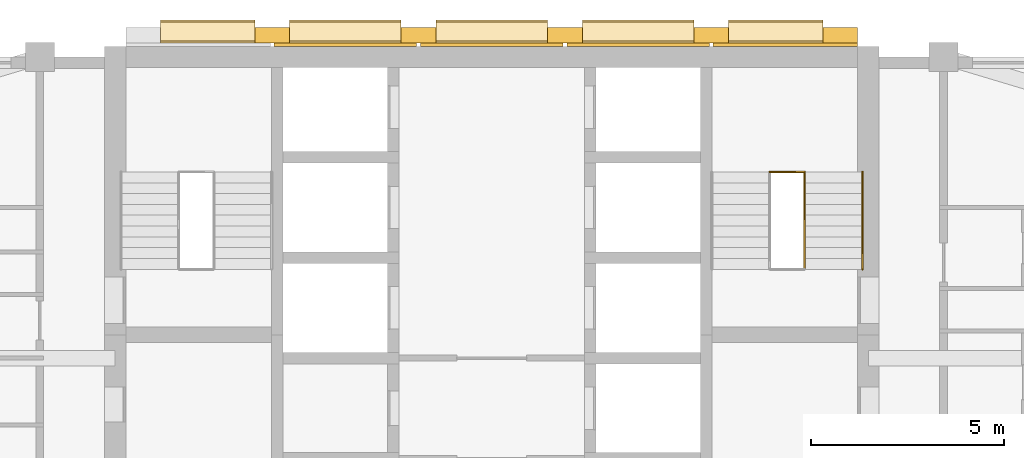
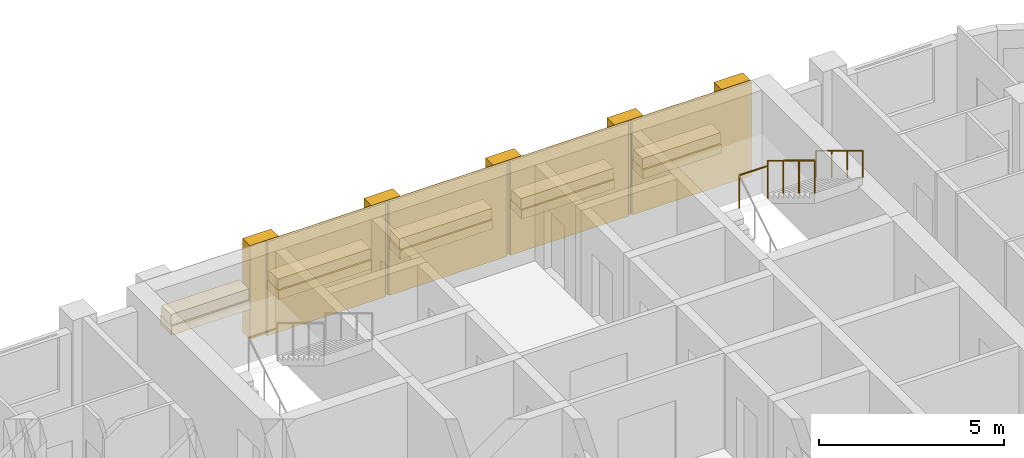
# One storey, part 13 of 13: 19 coverings, 3 railings, 1 element without a shape of its own.
"""IFC4 building model written with IfcOpenShell, lengths in metres."""

from ifc_helpers import new_model, si_unit, direction, frame, origin, origin_2d, place, context, subcontext, project, spatial, rectangle, circle, extrude, material, layer, layer_set, type_object, element, aggregate, save


model = new_model("IFC4")

# Units and contexts
model_context = context("Model", 3, precision=1e-05, world=origin(), true_north=direction((0.0, 1.0)))
body_context = subcontext(model_context, "Body", "Model", "MODEL_VIEW")
ifc_project = project(units=[si_unit("LENGTHUNIT", "METRE"), si_unit("AREAUNIT", "SQUARE_METRE"), si_unit("VOLUMEUNIT", "CUBIC_METRE"), si_unit("PLANEANGLEUNIT", "RADIAN"), si_unit("MASSUNIT", "GRAM", prefix="KILO")], contexts=[model_context])

# Site, building, storey
site_placement = place(None, origin())
site = spatial("IfcSite", under=ifc_project, at=site_placement, CompositionType="ELEMENT")
building_placement = place(site_placement, origin())
building = spatial("IfcBuilding", under=site, at=building_placement, Name="Ludao Terraces", CompositionType="ELEMENT")
storey_placement = place(building_placement, frame((0.0, 0.0, 158.800048828125)))
storey = spatial("IfcBuildingStorey", under=building, at=storey_placement, Name="L43", CompositionType="ELEMENT", Elevation=158.800048828125)

# Coverings
ifc_material_1 = material(Name="Granite cladding", Category="masonry")
ifc_layer_1 = layer(ifc_material_1, 0.39990234375)
ifc_layer_set_1 = layer_set([ifc_layer_1], Name="ENV Core pilaster stone 400")
covering_type_1 = type_object("IfcCoveringType", Name="ENV Core pilaster stone 400", PredefinedType="CLADDING", material=ifc_layer_set_1)
for number, where, z_axis, x_axis, name in (
    (1, (79.31494140625, 85.054931640625, 0.0), (0.0, 0.0, 1.0), (1.0, 0.0, 0.0), "CC-L43-PIL2"),
    (2, (83.10498046875, 85.054931640625, 0.0), (0.0, 0.0, 1.0), (1.0, 0.0, 0.0), "CC-L43-PIL3"),
    (3, (86.89501953125, 85.054931640625, 0.0), (0.0, 0.0, 1.0), (1.0, 0.0, 0.0), "CC-L43-PIL4"),
    (4, (90.68505859375, 85.054931640625, 0.0), (0.0, 0.0, 1.0), (1.0, 0.0, 0.0), "CC-L43-PIL5"),
    (5, (94.02490234375, 85.054931640625, 0.0), (0.0, 0.0, 1.0), (1.0, 0.0, 0.0), "CC-L43-PIL6"),
):
    element("IfcCovering", number, at=place(storey_placement, frame(where, z_axis=z_axis, x_axis=x_axis)), inside=storey, type_object=covering_type_1, Name=name, PredefinedType="CLADDING", context=body_context, shape_type="SweptSolid", body=[
        extrude(rectangle(XDim=0.89990234375, YDim=0.39990234375, at=origin_2d()), origin(), (0.0, 0.0, 1.0), 3.10009765625),
    ])
ifc_layer_2 = layer(ifc_material_1, 0.60009765625)
ifc_layer_set_2 = layer_set([ifc_layer_2], Name="ENV Core planting shelf stone 600")
covering_type_2 = type_object("IfcCoveringType", Name="ENV Core planting shelf stone 600", PredefinedType="CLADDING", material=ifc_layer_set_2)
covering_1_placement = place(storey_placement, frame((77.64501953125, 85.155029296875, 1.0), z_axis=(0.0, 0.0, 1.0), x_axis=(1.0, 0.0, 0.0)))
element("IfcCovering", 6, at=covering_1_placement, inside=storey, type_object=covering_type_2, Name="CC-L43-SHELF1", PredefinedType="CLADDING", context=body_context, shape_type="SweptSolid", body=[
    extrude(rectangle(XDim=2.43994140625, YDim=0.60009765625, at=origin_2d()), origin(), (0.0, 0.0, 1.0), 0.300048828125),
])
for number, where, z_axis, x_axis, name in (
    (7, (81.2099609375, 85.155029296875, 1.0), (0.0, 0.0, 1.0), (1.0, 0.0, 0.0), "CC-L43-SHELF2"),
    (8, (85.0, 85.155029296875, 1.0), (0.0, 0.0, 1.0), (1.0, 0.0, 0.0), "CC-L43-SHELF3"),
    (9, (88.7900390625, 85.155029296875, 1.0), (0.0, 0.0, 1.0), (1.0, 0.0, 0.0), "CC-L43-SHELF4"),
):
    element("IfcCovering", number, at=place(storey_placement, frame(where, z_axis=z_axis, x_axis=x_axis)), inside=storey, type_object=covering_type_2, Name=name, PredefinedType="CLADDING", context=body_context, shape_type="SweptSolid", body=[
        extrude(rectangle(XDim=2.889892578125, YDim=0.60009765625, at=origin_2d()), origin(), (0.0, 0.0, 1.0), 0.300048828125),
    ])
covering_2_placement = place(storey_placement, frame((92.35498046875, 85.155029296875, 1.0), z_axis=(0.0, 0.0, 1.0), x_axis=(1.0, 0.0, 0.0)))
element("IfcCovering", 10, at=covering_2_placement, inside=storey, type_object=covering_type_2, Name="CC-L43-SHELF5", PredefinedType="CLADDING", context=body_context, shape_type="SweptSolid", body=[
    extrude(rectangle(XDim=2.43994140625, YDim=0.60009765625, at=origin_2d()), origin(), (0.0, 0.0, 1.0), 0.300048828125),
])
ifc_layer_3 = layer(ifc_material_1, 0.080078125)
ifc_layer_set_3 = layer_set([ifc_layer_3], Name="ENV Core stone cladding panel 80")
covering_type_3 = type_object("IfcCoveringType", Name="ENV Core stone cladding panel 80", PredefinedType="CLADDING", material=ifc_layer_set_3)
for number, where, z_axis, x_axis, name in (
    (11, (81.2099609375, 84.81494140625, 0.0), (0.0, 0.0, 1.0), (1.0, 0.0, 0.0), "CC-L43-CORE2"),
    (12, (85.0, 84.81494140625, 0.0), (0.0, 0.0, 1.0), (1.0, 0.0, 0.0), "CC-L43-CORE3"),
    (13, (88.7900390625, 84.81494140625, 0.0), (0.0, 0.0, 1.0), (1.0, 0.0, 0.0), "CC-L43-CORE4"),
):
    element("IfcCovering", number, at=place(storey_placement, frame(where, z_axis=z_axis, x_axis=x_axis)), inside=storey, type_object=covering_type_3, Name=name, PredefinedType="CLADDING", context=body_context, shape_type="SweptSolid", body=[
        extrude(rectangle(XDim=3.68994140625, YDim=0.080078125, at=origin_2d()), origin(), (0.0, 0.0, 1.0), 3.10009765625),
    ])
covering_3_placement = place(storey_placement, frame((92.60498046875, 84.81494140625, 0.0), z_axis=(0.0, 0.0, 1.0), x_axis=(1.0, 0.0, 0.0)))
element("IfcCovering", 14, at=covering_3_placement, inside=storey, type_object=covering_type_3, Name="CC-L43-CORE5", PredefinedType="CLADDING", context=body_context, shape_type="SweptSolid", body=[
    extrude(rectangle(XDim=3.739990234375, YDim=0.080078125, at=origin_2d()), origin(), (0.0, 0.0, 1.0), 3.10009765625),
])
ifc_material_2 = material(Name="Planting")
ifc_layer_4 = layer(ifc_material_2, 0.5)
ifc_layer_set_4 = layer_set([ifc_layer_4], Name="ENV Shelf planting bed 350")
covering_type_4 = type_object("IfcCoveringType", Name="ENV Shelf planting bed 350", PredefinedType="USERDEFINED", material=ifc_layer_set_4)
covering_4_placement = place(storey_placement, frame((77.64501953125, 85.155029296875, 1.2998046875), z_axis=(0.0, 0.0, 1.0), x_axis=(1.0, 0.0, 0.0)))
element("IfcCovering", 15, at=covering_4_placement, inside=storey, type_object=covering_type_4, Name="Shelf planting bed L43 1", ObjectType="PLANTING", PredefinedType="USERDEFINED", context=body_context, shape_type="SweptSolid", body=[
    extrude(rectangle(XDim=2.43994140625, YDim=0.5, at=origin_2d()), origin(), (0.0, 0.0, 1.0), 0.35009765625),
])
for number, where, z_axis, x_axis, name in (
    (16, (81.2099609375, 85.155029296875, 1.2998046875), (0.0, 0.0, 1.0), (1.0, 0.0, 0.0), "Shelf planting bed L43 2"),
    (17, (85.0, 85.155029296875, 1.2998046875), (0.0, 0.0, 1.0), (1.0, 0.0, 0.0), "Shelf planting bed L43 3"),
    (18, (88.7900390625, 85.155029296875, 1.2998046875), (0.0, 0.0, 1.0), (1.0, 0.0, 0.0), "Shelf planting bed L43 4"),
):
    element("IfcCovering", number, at=place(storey_placement, frame(where, z_axis=z_axis, x_axis=x_axis)), inside=storey, type_object=covering_type_4, Name=name, ObjectType="PLANTING", PredefinedType="USERDEFINED", context=body_context, shape_type="SweptSolid", body=[
        extrude(rectangle(XDim=2.889892578125, YDim=0.5, at=origin_2d()), origin(), (0.0, 0.0, 1.0), 0.35009765625),
    ])
covering_5_placement = place(storey_placement, frame((92.35498046875, 85.155029296875, 1.2998046875), z_axis=(0.0, 0.0, 1.0), x_axis=(1.0, 0.0, 0.0)))
element("IfcCovering", 19, at=covering_5_placement, inside=storey, type_object=covering_type_4, Name="Shelf planting bed L43 5", ObjectType="PLANTING", PredefinedType="USERDEFINED", context=body_context, shape_type="SweptSolid", body=[
    extrude(rectangle(XDim=2.43994140625, YDim=0.5, at=origin_2d()), origin(), (0.0, 0.0, 1.0), 0.35009765625),
])

# Stair, railings
ifc_material_3 = material(Name="Concrete C40", Category="concrete")
stair_type = type_object("IfcStairType", Name="INT Stair", PredefinedType="HALF_TURN_STAIR", material=ifc_material_3)
stair_placement = place(storey_placement, origin())
stair = element("IfcStair", 20, at=stair_placement, inside=storey, type_object=stair_type, Name="EXIT STAIR 2", PredefinedType="HALF_TURN_STAIR")
ifc_material_4 = material(Name="Stainless steel 304", Category="steel")
railing_type_1 = type_object("IfcRailingType", Name="INT Stair guard 1100", PredefinedType="GUARDRAIL", material=ifc_material_4)
railing_1_placement = place(storey_placement, frame((93.10009765625, 81.52001953125, 1.869873046875)))
railing_1 = element("IfcRailing", 21, at=railing_1_placement, type_object=railing_type_1, Name="ST-L43-S2-R2G", PredefinedType="GUARDRAIL", context=body_context, shape_type="SweptSolid", body=[
    extrude(circle(Radius=0.02392578125, at=origin_2d()), frame((0.0, 0.0, 1.076171875), z_axis=(0.0, -0.85478489116, 0.518982456201), x_axis=(1.0, 0.0, 0.0)), (0.0, 0.0, 1.0), 2.9482421875),
    extrude(circle(Radius=0.02099609375, at=origin_2d()), origin(), (0.0, 0.0, 1.0), 1.052001953125),
    extrude(circle(Radius=0.02099609375, at=origin_2d()), frame((0.0, -0.840087890625, 0.510009765625)), (0.0, 0.0, 1.0), 1.052001953125),
    extrude(circle(Radius=0.02099609375, at=origin_2d()), frame((0.0, -1.679931640625, 1.02001953125)), (0.0, 0.0, 1.0), 1.052001953125),
    extrude(circle(Radius=0.02099609375, at=origin_2d()), frame((0.0, -2.52001953125, 1.530029296875)), (0.0, 0.0, 1.0), 1.052001953125),
])
railing_2_placement = place(storey_placement, frame((92.199951171875, 81.52001953125, 1.699951171875)))
railing_2 = element("IfcRailing", 22, at=railing_2_placement, type_object=railing_type_1, Name="ST-L43-S2-E1G", PredefinedType="GUARDRAIL", context=body_context, shape_type="SweptSolid", body=[
    extrude(circle(Radius=0.02392578125, at=origin_2d()), frame((0.0, 0.0, 1.076171875), z_axis=(1.0, 0.0, 0.0), x_axis=(0.0, 1.0, 0.0)), (0.0, 0.0, 1.0), 0.900146484375),
    extrude(circle(Radius=0.02099609375, at=origin_2d()), origin(), (0.0, 0.0, 1.0), 1.052001953125),
    extrude(circle(Radius=0.02099609375, at=origin_2d()), frame((0.900146484375, 0.0, 0.0)), (0.0, 0.0, 1.0), 1.052001953125),
])
railing_type_2 = type_object("IfcRailingType", Name="INT Stair handrail 900", PredefinedType="HANDRAIL", material=ifc_material_4)
railing_3_placement = place(storey_placement, frame((94.60009765625, 81.52001953125, 1.869873046875)))
railing_3 = element("IfcRailing", 23, at=railing_3_placement, type_object=railing_type_2, Name="ST-L43-S2-R2H", PredefinedType="HANDRAIL", context=body_context, shape_type="SweptSolid", body=[
    extrude(circle(Radius=0.02392578125, at=origin_2d()), frame((0.0, 0.0, 0.8759765625), z_axis=(0.0, -0.85478489116, 0.518982456201), x_axis=(1.0, 0.0, 0.0)), (0.0, 0.0, 1.0), 2.9482421875),
    extrude(circle(Radius=0.02099609375, at=origin_2d()), origin(), (0.0, 0.0, 1.0), 0.851806640625),
    extrude(circle(Radius=0.02099609375, at=origin_2d()), frame((0.0, -0.840087890625, 0.510009765625)), (0.0, 0.0, 1.0), 0.851806640625),
    extrude(circle(Radius=0.02099609375, at=origin_2d()), frame((0.0, -1.679931640625, 1.02001953125)), (0.0, 0.0, 1.0), 0.851806640625),
    extrude(circle(Radius=0.02099609375, at=origin_2d()), frame((0.0, -2.52001953125, 1.530029296875)), (0.0, 0.0, 1.0), 0.851806640625),
])
aggregate(stair, [railing_1, railing_3, railing_2])

save(model, "model.ifc")
